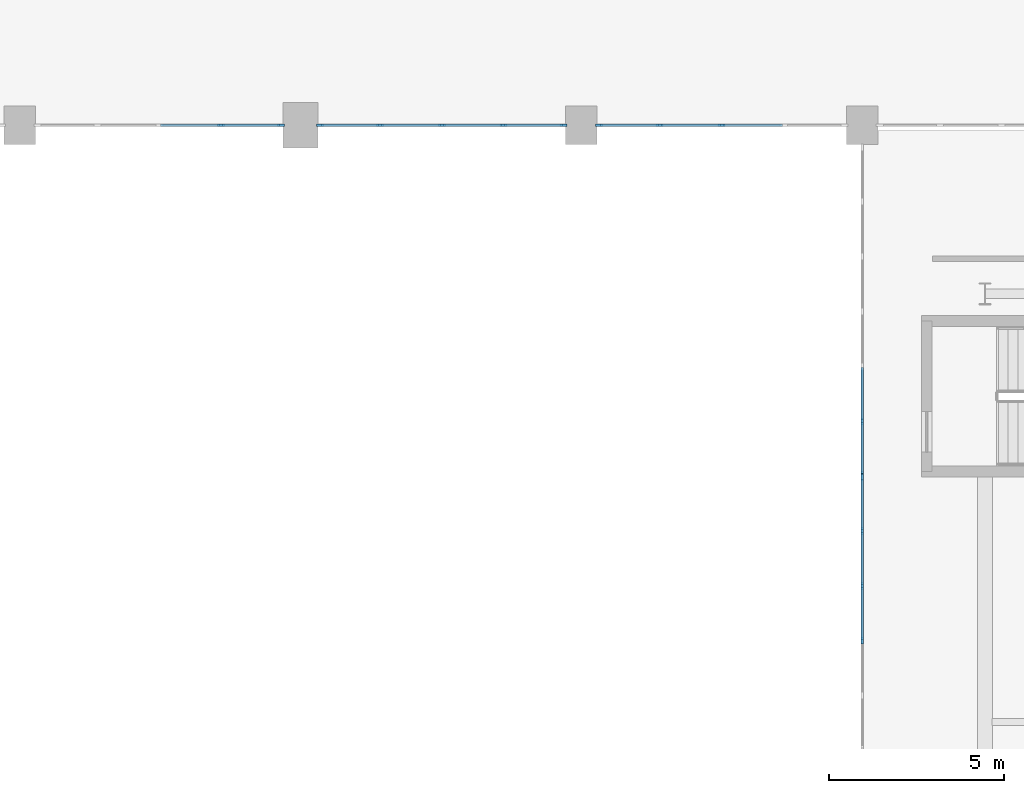
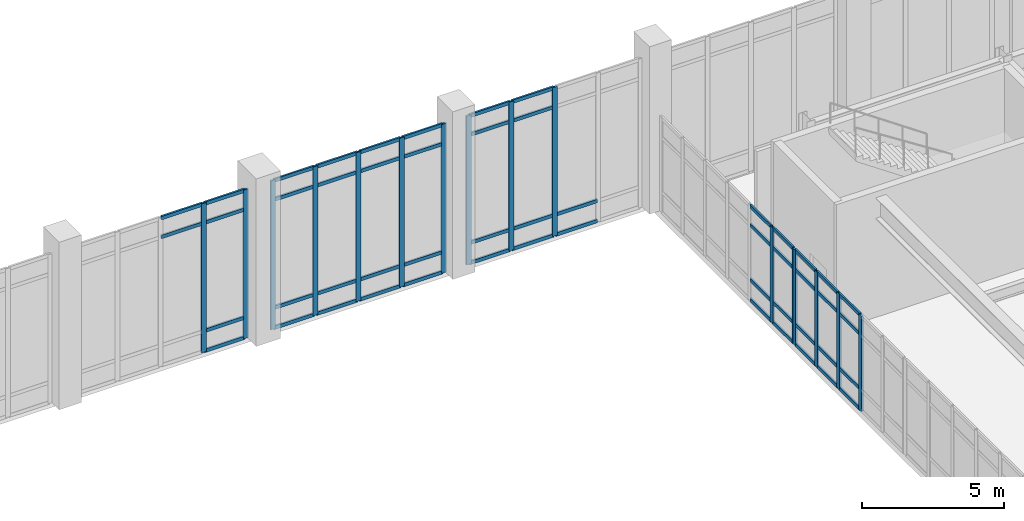
# One storey, part 28 of 84: 68 members, 5 elements without a shape of their own.
"""IFC4 building model written with IfcOpenShell, lengths in metres."""

from ifc_helpers import new_model, si_unit, direction, frame, origin, origin_2d, place, context, subcontext, project, spatial, rectangle, extrude, material, layer, layer_set, material_profile, profile_set, type_object, element, aggregate, save


model = new_model("IFC4")

# Units and contexts
model_context = context("Model", 3, precision=1e-05, world=origin(), true_north=direction((0.0, 1.0)))
body_context = subcontext(model_context, "Body", "Model", "MODEL_VIEW")
ifc_project = project(units=[si_unit("LENGTHUNIT", "METRE"), si_unit("AREAUNIT", "SQUARE_METRE"), si_unit("VOLUMEUNIT", "CUBIC_METRE"), si_unit("PLANEANGLEUNIT", "RADIAN"), si_unit("MASSUNIT", "GRAM", prefix="KILO")], contexts=[model_context])

# Site, building, storey
site_placement = place(None, origin())
site = spatial("IfcSite", under=ifc_project, at=site_placement, CompositionType="ELEMENT")
building_placement = place(site_placement, origin())
building = spatial("IfcBuilding", under=site, at=building_placement, Name="Tlacozan Convention Centre", CompositionType="ELEMENT")
storey_placement = place(building_placement, frame((0.0, 0.0, 6.0)))
storey = spatial("IfcBuildingStorey", under=building, at=storey_placement, Name="L01", CompositionType="ELEMENT", Elevation=6.0)

# Curtain wall, members
ifc_material = material(Name="Dark Bronze Anodised Aluminium", Category="aluminium")
ifc_layer_1 = layer(ifc_material, 0.199951171875)
ifc_layer_set_1 = layer_set([ifc_layer_1], Name="Dark Bronze Anodised Aluminium")
curtain_wall_type_1 = type_object("IfcCurtainWallType", Name="Exhibition Clerestory Curtain Wall CW10", PredefinedType="NOTDEFINED", material=ifc_layer_set_1)
curtain_wall_1_placement = place(storey_placement, origin())
curtain_wall_1 = element("IfcCurtainWall", 1, at=curtain_wall_1_placement, inside=storey, type_object=curtain_wall_type_1, Name="L01 CW-10 Run 17", PredefinedType="NOTDEFINED")
ifc_material_profile_1 = material_profile(ifc_material, rectangle(XDim=0.074951171875, YDim=0.199951171875, at=origin_2d()), Name="ALU 75x200")
ifc_profile_set_1 = profile_set([ifc_material_profile_1], Name="Dark Bronze Anodised Aluminium")
member_type_1 = type_object("IfcMemberType", Name="Curtain Wall Heavy Mullion 75x200", PredefinedType="MULLION", material=ifc_profile_set_1)
member_1_placement = place(storey_placement, frame((69.72998046875, 62.0, 0.0), z_axis=(0.0, 0.0, 1.0), x_axis=(0.0, 1.0, 0.0)))
member_1 = element("IfcMember", 2, at=member_1_placement, type_object=member_type_1, Name="CW-10 mullion 4", PredefinedType="MULLION", context=body_context, shape_type="SweptSolid", body=[
    extrude(rectangle(XDim=0.074951171875, YDim=0.199951171875, at=origin_2d()), origin(), (0.0, 0.0, 1.0), 6.39990234375),
])
member_2_placement = place(storey_placement, frame((71.447509765625, 62.0, 0.0), z_axis=(0.0, 0.0, 1.0), x_axis=(0.0, 1.0, 0.0)))
member_2 = element("IfcMember", 3, at=member_2_placement, type_object=member_type_1, Name="CW-10 mullion 5", PredefinedType="MULLION", context=body_context, shape_type="SweptSolid", body=[
    extrude(rectangle(XDim=0.074951171875, YDim=0.199951171875, at=origin_2d()), origin(), (0.0, 0.0, 1.0), 6.39990234375),
])

curtain_wall_2_placement = place(storey_placement, origin())
curtain_wall_2 = element("IfcCurtainWall", 4, at=curtain_wall_2_placement, inside=storey, type_object=curtain_wall_type_1, Name="L01 CW-10 Run 18", PredefinedType="NOTDEFINED")
member_3_placement = place(storey_placement, frame((72.552490234375, 62.0, 0.0), z_axis=(0.0, 0.0, 1.0), x_axis=(0.0, 1.0, 0.0)))
member_3 = element("IfcMember", 5, at=member_3_placement, type_object=member_type_1, Name="CW-10 mullion 1", PredefinedType="MULLION", context=body_context, shape_type="SweptSolid", body=[
    extrude(rectangle(XDim=0.074951171875, YDim=0.199951171875, at=origin_2d()), origin(), (0.0, 0.0, 1.0), 6.39990234375),
])
member_4_placement = place(storey_placement, frame((74.27001953125, 62.0, 0.0), z_axis=(0.0, 0.0, 1.0), x_axis=(0.0, 1.0, 0.0)))
member_4 = element("IfcMember", 6, at=member_4_placement, type_object=member_type_1, Name="CW-10 mullion 2", PredefinedType="MULLION", context=body_context, shape_type="SweptSolid", body=[
    extrude(rectangle(XDim=0.074951171875, YDim=0.199951171875, at=origin_2d()), origin(), (0.0, 0.0, 1.0), 6.39990234375),
])
member_5_placement = place(storey_placement, frame((76.02490234375, 62.0, 0.0), z_axis=(0.0, 0.0, 1.0), x_axis=(0.0, 1.0, 0.0)))
member_5 = element("IfcMember", 7, at=member_5_placement, type_object=member_type_1, Name="CW-10 mullion 3", PredefinedType="MULLION", context=body_context, shape_type="SweptSolid", body=[
    extrude(rectangle(XDim=0.074951171875, YDim=0.199951171875, at=origin_2d()), origin(), (0.0, 0.0, 1.0), 6.39990234375),
])
member_6_placement = place(storey_placement, frame((77.780029296875, 62.0, 0.0), z_axis=(0.0, 0.0, 1.0), x_axis=(0.0, 1.0, 0.0)))
member_6 = element("IfcMember", 8, at=member_6_placement, type_object=member_type_1, Name="CW-10 mullion 4", PredefinedType="MULLION", context=body_context, shape_type="SweptSolid", body=[
    extrude(rectangle(XDim=0.074951171875, YDim=0.199951171875, at=origin_2d()), origin(), (0.0, 0.0, 1.0), 6.39990234375),
])
member_7_placement = place(storey_placement, frame((79.49755859375, 62.0, 0.0), z_axis=(0.0, 0.0, 1.0), x_axis=(0.0, 1.0, 0.0)))
member_7 = element("IfcMember", 9, at=member_7_placement, type_object=member_type_1, Name="CW-10 mullion 5", PredefinedType="MULLION", context=body_context, shape_type="SweptSolid", body=[
    extrude(rectangle(XDim=0.074951171875, YDim=0.199951171875, at=origin_2d()), origin(), (0.0, 0.0, 1.0), 6.39990234375),
])

curtain_wall_3_placement = place(storey_placement, origin())
curtain_wall_3 = element("IfcCurtainWall", 10, at=curtain_wall_3_placement, inside=storey, type_object=curtain_wall_type_1, Name="L01 CW-10 Run 19", PredefinedType="NOTDEFINED")
member_8_placement = place(storey_placement, frame((80.50244140625, 62.0, 0.0), z_axis=(0.0, 0.0, 1.0), x_axis=(0.0, 1.0, 0.0)))
member_8 = element("IfcMember", 11, at=member_8_placement, type_object=member_type_1, Name="CW-10 mullion 1", PredefinedType="MULLION", context=body_context, shape_type="SweptSolid", body=[
    extrude(rectangle(XDim=0.074951171875, YDim=0.199951171875, at=origin_2d()), origin(), (0.0, 0.0, 1.0), 6.39990234375),
])
member_9_placement = place(storey_placement, frame((82.232421875, 62.0, 0.0), z_axis=(0.0, 0.0, 1.0), x_axis=(0.0, 1.0, 0.0)))
member_9 = element("IfcMember", 12, at=member_9_placement, type_object=member_type_1, Name="CW-10 mullion 2", PredefinedType="MULLION", context=body_context, shape_type="SweptSolid", body=[
    extrude(rectangle(XDim=0.074951171875, YDim=0.199951171875, at=origin_2d()), origin(), (0.0, 0.0, 1.0), 6.39990234375),
])
member_10_placement = place(storey_placement, frame((84.0, 62.0, 0.0), z_axis=(0.0, 0.0, 1.0), x_axis=(0.0, 1.0, 0.0)))
member_10 = element("IfcMember", 13, at=member_10_placement, type_object=member_type_1, Name="CW-10 mullion 3", PredefinedType="MULLION", context=body_context, shape_type="SweptSolid", body=[
    extrude(rectangle(XDim=0.074951171875, YDim=0.199951171875, at=origin_2d()), origin(), (0.0, 0.0, 1.0), 6.39990234375),
])

ifc_layer_2 = layer(ifc_material, 0.199951171875)
ifc_layer_set_2 = layer_set([ifc_layer_2], Name="Dark Bronze Anodised Aluminium")
curtain_wall_type_2 = type_object("IfcCurtainWallType", Name="Unitised Ballroom Cloister L01 CW08", PredefinedType="NOTDEFINED", material=ifc_layer_set_2)
curtain_wall_4_placement = place(storey_placement, origin())
curtain_wall_4 = element("IfcCurtainWall", 14, at=curtain_wall_4_placement, inside=storey, type_object=curtain_wall_type_2, Name="L01 CW-08 Run 160", PredefinedType="NOTDEFINED")
member_11_placement = place(storey_placement, frame((88.0, 47.320068359375, 0.0), z_axis=(0.0, 0.0, 1.0), x_axis=(-1.0, 0.0, 0.0)))
member_11 = element("IfcMember", 15, at=member_11_placement, type_object=member_type_1, Name="CW-08 mullion 3", PredefinedType="MULLION", context=body_context, shape_type="SweptSolid", body=[
    extrude(rectangle(XDim=0.074951171875, YDim=0.199951171875, at=origin_2d()), origin(), (0.0, 0.0, 1.0), 4.10009765625),
])
member_12_placement = place(storey_placement, frame((88.0, 48.8798828125, 0.0), z_axis=(0.0, 0.0, 1.0), x_axis=(-1.0, 0.0, 0.0)))
member_12 = element("IfcMember", 16, at=member_12_placement, type_object=member_type_1, Name="CW-08 mullion 4", PredefinedType="MULLION", context=body_context, shape_type="SweptSolid", body=[
    extrude(rectangle(XDim=0.074951171875, YDim=0.199951171875, at=origin_2d()), origin(), (0.0, 0.0, 1.0), 4.10009765625),
])
member_13_placement = place(storey_placement, frame((88.0, 50.43994140625, 0.0), z_axis=(0.0, 0.0, 1.0), x_axis=(-1.0, 0.0, 0.0)))
member_13 = element("IfcMember", 17, at=member_13_placement, type_object=member_type_1, Name="CW-08 mullion 5", PredefinedType="MULLION", context=body_context, shape_type="SweptSolid", body=[
    extrude(rectangle(XDim=0.074951171875, YDim=0.199951171875, at=origin_2d()), origin(), (0.0, 0.0, 1.0), 4.10009765625),
])
member_14_placement = place(storey_placement, frame((88.0, 51.96240234375, 0.0), z_axis=(0.0, 0.0, 1.0), x_axis=(-1.0, 0.0, 0.0)))
member_14 = element("IfcMember", 18, at=member_14_placement, type_object=member_type_1, Name="CW-08 mullion 6", PredefinedType="MULLION", context=body_context, shape_type="SweptSolid", body=[
    extrude(rectangle(XDim=0.074951171875, YDim=0.199951171875, at=origin_2d()), origin(), (0.0, 0.0, 1.0), 4.10009765625),
])

curtain_wall_5_placement = place(storey_placement, origin())
curtain_wall_5 = element("IfcCurtainWall", 19, at=curtain_wall_5_placement, inside=storey, type_object=curtain_wall_type_2, Name="L01 CW-08 Run 163", PredefinedType="NOTDEFINED")
member_15_placement = place(storey_placement, frame((88.0, 52.03759765625, 0.0), z_axis=(0.0, 0.0, 1.0), x_axis=(-1.0, 0.0, 0.0)))
member_15 = element("IfcMember", 20, at=member_15_placement, type_object=member_type_1, Name="CW-08 mullion 1", PredefinedType="MULLION", context=body_context, shape_type="SweptSolid", body=[
    extrude(rectangle(XDim=0.074951171875, YDim=0.199951171875, at=origin_2d()), origin(), (0.0, 0.0, 1.0), 4.10009765625),
])
member_16_placement = place(storey_placement, frame((88.0, 53.566650390625, 0.0), z_axis=(0.0, 0.0, 1.0), x_axis=(-1.0, 0.0, 0.0)))
member_16 = element("IfcMember", 21, at=member_16_placement, type_object=member_type_1, Name="CW-08 mullion 2", PredefinedType="MULLION", context=body_context, shape_type="SweptSolid", body=[
    extrude(rectangle(XDim=0.074951171875, YDim=0.199951171875, at=origin_2d()), origin(), (0.0, 0.0, 1.0), 4.10009765625),
])

# Member
ifc_material_profile_2 = material_profile(ifc_material, rectangle(XDim=0.074951171875, YDim=0.14990234375, at=origin_2d()), Name="ALU 75x150")
ifc_profile_set_2 = profile_set([ifc_material_profile_2], Name="Dark Bronze Anodised Aluminium")
member_type_2 = type_object("IfcMemberType", Name="Curtain Wall Heavy Transom 75x150", PredefinedType="USERDEFINED", material=ifc_profile_set_2)
member_17_placement = place(storey_placement, frame((68.012451171875, 62.0, 5.550048828125), z_axis=(1.0, 0.0, 0.0), x_axis=(0.0, 1.0, 0.0)))
member_17 = element("IfcMember", 22, at=member_17_placement, type_object=member_type_2, Name="CW-10 transom 3.3", ObjectType="TRANSOM", PredefinedType="USERDEFINED", context=body_context, shape_type="SweptSolid", body=[
    extrude(rectangle(XDim=0.074951171875, YDim=0.14990234375, at=origin_2d()), origin(), (0.0, 0.0, 1.0), 1.679931640625),
])

member_18_placement = place(storey_placement, frame((68.012451171875, 62.0, 6.362548828125), z_axis=(1.0, 0.0, 0.0), x_axis=(0.0, 1.0, 0.0)))
member_18 = element("IfcMember", 23, at=member_18_placement, type_object=member_type_2, Name="CW-10 transom 3.4", ObjectType="TRANSOM", PredefinedType="USERDEFINED", context=body_context, shape_type="SweptSolid", body=[
    extrude(rectangle(XDim=0.074951171875, YDim=0.14990234375, at=origin_2d()), origin(), (0.0, 0.0, 1.0), 1.679931640625),
])

member_19_placement = place(storey_placement, frame((69.767578125, 62.0, 0.03759765625), z_axis=(1.0, 0.0, 0.0), x_axis=(0.0, 1.0, 0.0)))
member_19 = element("IfcMember", 24, at=member_19_placement, type_object=member_type_2, Name="CW-10 transom 4.1", ObjectType="TRANSOM", PredefinedType="USERDEFINED", context=body_context, shape_type="SweptSolid", body=[
    extrude(rectangle(XDim=0.074951171875, YDim=0.14990234375, at=origin_2d()), origin(), (0.0, 0.0, 1.0), 1.642333984375),
])

member_20_placement = place(storey_placement, frame((69.767578125, 62.0, 0.89990234375), z_axis=(1.0, 0.0, 0.0), x_axis=(0.0, 1.0, 0.0)))
member_20 = element("IfcMember", 25, at=member_20_placement, type_object=member_type_2, Name="CW-10 transom 4.2", ObjectType="TRANSOM", PredefinedType="USERDEFINED", context=body_context, shape_type="SweptSolid", body=[
    extrude(rectangle(XDim=0.074951171875, YDim=0.14990234375, at=origin_2d()), origin(), (0.0, 0.0, 1.0), 1.642333984375),
])

member_21_placement = place(storey_placement, frame((69.767578125, 62.0, 5.550048828125), z_axis=(1.0, 0.0, 0.0), x_axis=(0.0, 1.0, 0.0)))
member_21 = element("IfcMember", 26, at=member_21_placement, type_object=member_type_2, Name="CW-10 transom 4.3", ObjectType="TRANSOM", PredefinedType="USERDEFINED", context=body_context, shape_type="SweptSolid", body=[
    extrude(rectangle(XDim=0.074951171875, YDim=0.14990234375, at=origin_2d()), origin(), (0.0, 0.0, 1.0), 1.642333984375),
])

member_22_placement = place(storey_placement, frame((69.767578125, 62.0, 6.362548828125), z_axis=(1.0, 0.0, 0.0), x_axis=(0.0, 1.0, 0.0)))
member_22 = element("IfcMember", 27, at=member_22_placement, type_object=member_type_2, Name="CW-10 transom 4.4", ObjectType="TRANSOM", PredefinedType="USERDEFINED", context=body_context, shape_type="SweptSolid", body=[
    extrude(rectangle(XDim=0.074951171875, YDim=0.14990234375, at=origin_2d()), origin(), (0.0, 0.0, 1.0), 1.642333984375),
])

aggregate(curtain_wall_1, [member_1, member_2, member_17, member_18, member_19, member_20, member_21, member_22])

member_23_placement = place(storey_placement, frame((72.590087890625, 62.0, 0.03759765625), z_axis=(1.0, 0.0, 0.0), x_axis=(0.0, 1.0, 0.0)))
member_23 = element("IfcMember", 28, at=member_23_placement, type_object=member_type_2, Name="CW-10 transom 1.1", ObjectType="TRANSOM", PredefinedType="USERDEFINED", context=body_context, shape_type="SweptSolid", body=[
    extrude(rectangle(XDim=0.074951171875, YDim=0.14990234375, at=origin_2d()), origin(), (0.0, 0.0, 1.0), 1.642333984375),
])

member_24_placement = place(storey_placement, frame((72.590087890625, 62.0, 0.89990234375), z_axis=(1.0, 0.0, 0.0), x_axis=(0.0, 1.0, 0.0)))
member_24 = element("IfcMember", 29, at=member_24_placement, type_object=member_type_2, Name="CW-10 transom 1.2", ObjectType="TRANSOM", PredefinedType="USERDEFINED", context=body_context, shape_type="SweptSolid", body=[
    extrude(rectangle(XDim=0.074951171875, YDim=0.14990234375, at=origin_2d()), origin(), (0.0, 0.0, 1.0), 1.642333984375),
])

member_25_placement = place(storey_placement, frame((72.590087890625, 62.0, 5.550048828125), z_axis=(1.0, 0.0, 0.0), x_axis=(0.0, 1.0, 0.0)))
member_25 = element("IfcMember", 30, at=member_25_placement, type_object=member_type_2, Name="CW-10 transom 1.3", ObjectType="TRANSOM", PredefinedType="USERDEFINED", context=body_context, shape_type="SweptSolid", body=[
    extrude(rectangle(XDim=0.074951171875, YDim=0.14990234375, at=origin_2d()), origin(), (0.0, 0.0, 1.0), 1.642333984375),
])

member_26_placement = place(storey_placement, frame((72.590087890625, 62.0, 6.362548828125), z_axis=(1.0, 0.0, 0.0), x_axis=(0.0, 1.0, 0.0)))
member_26 = element("IfcMember", 31, at=member_26_placement, type_object=member_type_2, Name="CW-10 transom 1.4", ObjectType="TRANSOM", PredefinedType="USERDEFINED", context=body_context, shape_type="SweptSolid", body=[
    extrude(rectangle(XDim=0.074951171875, YDim=0.14990234375, at=origin_2d()), origin(), (0.0, 0.0, 1.0), 1.642333984375),
])

member_27_placement = place(storey_placement, frame((74.3076171875, 62.0, 0.03759765625), z_axis=(1.0, 0.0, 0.0), x_axis=(0.0, 1.0, 0.0)))
member_27 = element("IfcMember", 32, at=member_27_placement, type_object=member_type_2, Name="CW-10 transom 2.1", ObjectType="TRANSOM", PredefinedType="USERDEFINED", context=body_context, shape_type="SweptSolid", body=[
    extrude(rectangle(XDim=0.074951171875, YDim=0.14990234375, at=origin_2d()), origin(), (0.0, 0.0, 1.0), 1.679931640625),
])

member_28_placement = place(storey_placement, frame((74.3076171875, 62.0, 0.89990234375), z_axis=(1.0, 0.0, 0.0), x_axis=(0.0, 1.0, 0.0)))
member_28 = element("IfcMember", 33, at=member_28_placement, type_object=member_type_2, Name="CW-10 transom 2.2", ObjectType="TRANSOM", PredefinedType="USERDEFINED", context=body_context, shape_type="SweptSolid", body=[
    extrude(rectangle(XDim=0.074951171875, YDim=0.14990234375, at=origin_2d()), origin(), (0.0, 0.0, 1.0), 1.679931640625),
])

member_29_placement = place(storey_placement, frame((74.3076171875, 62.0, 5.550048828125), z_axis=(1.0, 0.0, 0.0), x_axis=(0.0, 1.0, 0.0)))
member_29 = element("IfcMember", 34, at=member_29_placement, type_object=member_type_2, Name="CW-10 transom 2.3", ObjectType="TRANSOM", PredefinedType="USERDEFINED", context=body_context, shape_type="SweptSolid", body=[
    extrude(rectangle(XDim=0.074951171875, YDim=0.14990234375, at=origin_2d()), origin(), (0.0, 0.0, 1.0), 1.679931640625),
])

member_30_placement = place(storey_placement, frame((74.3076171875, 62.0, 6.362548828125), z_axis=(1.0, 0.0, 0.0), x_axis=(0.0, 1.0, 0.0)))
member_30 = element("IfcMember", 35, at=member_30_placement, type_object=member_type_2, Name="CW-10 transom 2.4", ObjectType="TRANSOM", PredefinedType="USERDEFINED", context=body_context, shape_type="SweptSolid", body=[
    extrude(rectangle(XDim=0.074951171875, YDim=0.14990234375, at=origin_2d()), origin(), (0.0, 0.0, 1.0), 1.679931640625),
])

member_31_placement = place(storey_placement, frame((76.0625, 62.0, 0.03759765625), z_axis=(1.0, 0.0, 0.0), x_axis=(0.0, 1.0, 0.0)))
member_31 = element("IfcMember", 36, at=member_31_placement, type_object=member_type_2, Name="CW-10 transom 3.1", ObjectType="TRANSOM", PredefinedType="USERDEFINED", context=body_context, shape_type="SweptSolid", body=[
    extrude(rectangle(XDim=0.074951171875, YDim=0.14990234375, at=origin_2d()), origin(), (0.0, 0.0, 1.0), 1.679931640625),
])

member_32_placement = place(storey_placement, frame((76.0625, 62.0, 0.89990234375), z_axis=(1.0, 0.0, 0.0), x_axis=(0.0, 1.0, 0.0)))
member_32 = element("IfcMember", 37, at=member_32_placement, type_object=member_type_2, Name="CW-10 transom 3.2", ObjectType="TRANSOM", PredefinedType="USERDEFINED", context=body_context, shape_type="SweptSolid", body=[
    extrude(rectangle(XDim=0.074951171875, YDim=0.14990234375, at=origin_2d()), origin(), (0.0, 0.0, 1.0), 1.679931640625),
])

member_33_placement = place(storey_placement, frame((76.0625, 62.0, 5.550048828125), z_axis=(1.0, 0.0, 0.0), x_axis=(0.0, 1.0, 0.0)))
member_33 = element("IfcMember", 38, at=member_33_placement, type_object=member_type_2, Name="CW-10 transom 3.3", ObjectType="TRANSOM", PredefinedType="USERDEFINED", context=body_context, shape_type="SweptSolid", body=[
    extrude(rectangle(XDim=0.074951171875, YDim=0.14990234375, at=origin_2d()), origin(), (0.0, 0.0, 1.0), 1.679931640625),
])

member_34_placement = place(storey_placement, frame((76.0625, 62.0, 6.362548828125), z_axis=(1.0, 0.0, 0.0), x_axis=(0.0, 1.0, 0.0)))
member_34 = element("IfcMember", 39, at=member_34_placement, type_object=member_type_2, Name="CW-10 transom 3.4", ObjectType="TRANSOM", PredefinedType="USERDEFINED", context=body_context, shape_type="SweptSolid", body=[
    extrude(rectangle(XDim=0.074951171875, YDim=0.14990234375, at=origin_2d()), origin(), (0.0, 0.0, 1.0), 1.679931640625),
])

member_35_placement = place(storey_placement, frame((77.8173828125, 62.0, 0.03759765625), z_axis=(1.0, 0.0, 0.0), x_axis=(0.0, 1.0, 0.0)))
member_35 = element("IfcMember", 40, at=member_35_placement, type_object=member_type_2, Name="CW-10 transom 4.1", ObjectType="TRANSOM", PredefinedType="USERDEFINED", context=body_context, shape_type="SweptSolid", body=[
    extrude(rectangle(XDim=0.074951171875, YDim=0.14990234375, at=origin_2d()), origin(), (0.0, 0.0, 1.0), 1.642578125),
])

member_36_placement = place(storey_placement, frame((77.8173828125, 62.0, 0.89990234375), z_axis=(1.0, 0.0, 0.0), x_axis=(0.0, 1.0, 0.0)))
member_36 = element("IfcMember", 41, at=member_36_placement, type_object=member_type_2, Name="CW-10 transom 4.2", ObjectType="TRANSOM", PredefinedType="USERDEFINED", context=body_context, shape_type="SweptSolid", body=[
    extrude(rectangle(XDim=0.074951171875, YDim=0.14990234375, at=origin_2d()), origin(), (0.0, 0.0, 1.0), 1.642578125),
])

member_37_placement = place(storey_placement, frame((77.8173828125, 62.0, 5.550048828125), z_axis=(1.0, 0.0, 0.0), x_axis=(0.0, 1.0, 0.0)))
member_37 = element("IfcMember", 42, at=member_37_placement, type_object=member_type_2, Name="CW-10 transom 4.3", ObjectType="TRANSOM", PredefinedType="USERDEFINED", context=body_context, shape_type="SweptSolid", body=[
    extrude(rectangle(XDim=0.074951171875, YDim=0.14990234375, at=origin_2d()), origin(), (0.0, 0.0, 1.0), 1.642578125),
])

member_38_placement = place(storey_placement, frame((77.8173828125, 62.0, 6.362548828125), z_axis=(1.0, 0.0, 0.0), x_axis=(0.0, 1.0, 0.0)))
member_38 = element("IfcMember", 43, at=member_38_placement, type_object=member_type_2, Name="CW-10 transom 4.4", ObjectType="TRANSOM", PredefinedType="USERDEFINED", context=body_context, shape_type="SweptSolid", body=[
    extrude(rectangle(XDim=0.074951171875, YDim=0.14990234375, at=origin_2d()), origin(), (0.0, 0.0, 1.0), 1.642578125),
])

aggregate(curtain_wall_2, [member_3, member_4, member_5, member_6, member_7, member_23, member_24, member_25, member_26, member_27, member_28, member_29, member_30, member_31, member_32, member_33, member_34, member_35, member_36, member_37, member_38])

member_39_placement = place(storey_placement, frame((80.5400390625, 62.0, 0.03759765625), z_axis=(1.0, 0.0, 0.0), x_axis=(0.0, 1.0, 0.0)))
member_39 = element("IfcMember", 44, at=member_39_placement, type_object=member_type_2, Name="CW-10 transom 1.1", ObjectType="TRANSOM", PredefinedType="USERDEFINED", context=body_context, shape_type="SweptSolid", body=[
    extrude(rectangle(XDim=0.074951171875, YDim=0.14990234375, at=origin_2d()), origin(), (0.0, 0.0, 1.0), 1.655029296875),
])

member_40_placement = place(storey_placement, frame((80.5400390625, 62.0, 0.89990234375), z_axis=(1.0, 0.0, 0.0), x_axis=(0.0, 1.0, 0.0)))
member_40 = element("IfcMember", 45, at=member_40_placement, type_object=member_type_2, Name="CW-10 transom 1.2", ObjectType="TRANSOM", PredefinedType="USERDEFINED", context=body_context, shape_type="SweptSolid", body=[
    extrude(rectangle(XDim=0.074951171875, YDim=0.14990234375, at=origin_2d()), origin(), (0.0, 0.0, 1.0), 1.655029296875),
])

member_41_placement = place(storey_placement, frame((80.5400390625, 62.0, 5.550048828125), z_axis=(1.0, 0.0, 0.0), x_axis=(0.0, 1.0, 0.0)))
member_41 = element("IfcMember", 46, at=member_41_placement, type_object=member_type_2, Name="CW-10 transom 1.3", ObjectType="TRANSOM", PredefinedType="USERDEFINED", context=body_context, shape_type="SweptSolid", body=[
    extrude(rectangle(XDim=0.074951171875, YDim=0.14990234375, at=origin_2d()), origin(), (0.0, 0.0, 1.0), 1.655029296875),
])

member_42_placement = place(storey_placement, frame((80.5400390625, 62.0, 6.362548828125), z_axis=(1.0, 0.0, 0.0), x_axis=(0.0, 1.0, 0.0)))
member_42 = element("IfcMember", 47, at=member_42_placement, type_object=member_type_2, Name="CW-10 transom 1.4", ObjectType="TRANSOM", PredefinedType="USERDEFINED", context=body_context, shape_type="SweptSolid", body=[
    extrude(rectangle(XDim=0.074951171875, YDim=0.14990234375, at=origin_2d()), origin(), (0.0, 0.0, 1.0), 1.655029296875),
])

member_43_placement = place(storey_placement, frame((82.27001953125, 62.0, 0.03759765625), z_axis=(1.0, 0.0, 0.0), x_axis=(0.0, 1.0, 0.0)))
member_43 = element("IfcMember", 48, at=member_43_placement, type_object=member_type_2, Name="CW-10 transom 2.1", ObjectType="TRANSOM", PredefinedType="USERDEFINED", context=body_context, shape_type="SweptSolid", body=[
    extrude(rectangle(XDim=0.074951171875, YDim=0.14990234375, at=origin_2d()), origin(), (0.0, 0.0, 1.0), 1.6923828125),
])

member_44_placement = place(storey_placement, frame((82.27001953125, 62.0, 0.89990234375), z_axis=(1.0, 0.0, 0.0), x_axis=(0.0, 1.0, 0.0)))
member_44 = element("IfcMember", 49, at=member_44_placement, type_object=member_type_2, Name="CW-10 transom 2.2", ObjectType="TRANSOM", PredefinedType="USERDEFINED", context=body_context, shape_type="SweptSolid", body=[
    extrude(rectangle(XDim=0.074951171875, YDim=0.14990234375, at=origin_2d()), origin(), (0.0, 0.0, 1.0), 1.6923828125),
])

member_45_placement = place(storey_placement, frame((82.27001953125, 62.0, 5.550048828125), z_axis=(1.0, 0.0, 0.0), x_axis=(0.0, 1.0, 0.0)))
member_45 = element("IfcMember", 50, at=member_45_placement, type_object=member_type_2, Name="CW-10 transom 2.3", ObjectType="TRANSOM", PredefinedType="USERDEFINED", context=body_context, shape_type="SweptSolid", body=[
    extrude(rectangle(XDim=0.074951171875, YDim=0.14990234375, at=origin_2d()), origin(), (0.0, 0.0, 1.0), 1.6923828125),
])

member_46_placement = place(storey_placement, frame((82.27001953125, 62.0, 6.362548828125), z_axis=(1.0, 0.0, 0.0), x_axis=(0.0, 1.0, 0.0)))
member_46 = element("IfcMember", 51, at=member_46_placement, type_object=member_type_2, Name="CW-10 transom 2.4", ObjectType="TRANSOM", PredefinedType="USERDEFINED", context=body_context, shape_type="SweptSolid", body=[
    extrude(rectangle(XDim=0.074951171875, YDim=0.14990234375, at=origin_2d()), origin(), (0.0, 0.0, 1.0), 1.6923828125),
])

member_47_placement = place(storey_placement, frame((84.03759765625, 62.0, 0.03759765625), z_axis=(1.0, 0.0, 0.0), x_axis=(0.0, 1.0, 0.0)))
member_47 = element("IfcMember", 52, at=member_47_placement, type_object=member_type_2, Name="CW-10 transom 3.1", ObjectType="TRANSOM", PredefinedType="USERDEFINED", context=body_context, shape_type="SweptSolid", body=[
    extrude(rectangle(XDim=0.074951171875, YDim=0.14990234375, at=origin_2d()), origin(), (0.0, 0.0, 1.0), 1.6923828125),
])

member_48_placement = place(storey_placement, frame((84.03759765625, 62.0, 0.89990234375), z_axis=(1.0, 0.0, 0.0), x_axis=(0.0, 1.0, 0.0)))
member_48 = element("IfcMember", 53, at=member_48_placement, type_object=member_type_2, Name="CW-10 transom 3.2", ObjectType="TRANSOM", PredefinedType="USERDEFINED", context=body_context, shape_type="SweptSolid", body=[
    extrude(rectangle(XDim=0.074951171875, YDim=0.14990234375, at=origin_2d()), origin(), (0.0, 0.0, 1.0), 1.6923828125),
])

aggregate(curtain_wall_3, [member_8, member_9, member_10, member_39, member_40, member_41, member_42, member_43, member_44, member_45, member_46, member_47, member_48])

member_49_placement = place(storey_placement, frame((88.0, 47.357421875, 0.03759765625), z_axis=(0.0, 1.0, 0.0), x_axis=(-1.0, 0.0, 0.0)))
member_49 = element("IfcMember", 54, at=member_49_placement, type_object=member_type_2, Name="CW-08 transom 3.1", ObjectType="TRANSOM", PredefinedType="USERDEFINED", context=body_context, shape_type="SweptSolid", body=[
    extrude(rectangle(XDim=0.074951171875, YDim=0.14990234375, at=origin_2d()), origin(), (0.0, 0.0, 1.0), 1.485107421875),
])

member_50_placement = place(storey_placement, frame((88.0, 47.357421875, 0.89990234375), z_axis=(0.0, 1.0, 0.0), x_axis=(-1.0, 0.0, 0.0)))
member_50 = element("IfcMember", 55, at=member_50_placement, type_object=member_type_2, Name="CW-08 transom 3.2", ObjectType="TRANSOM", PredefinedType="USERDEFINED", context=body_context, shape_type="SweptSolid", body=[
    extrude(rectangle(XDim=0.074951171875, YDim=0.14990234375, at=origin_2d()), origin(), (0.0, 0.0, 1.0), 1.485107421875),
])

member_51_placement = place(storey_placement, frame((88.0, 47.357421875, 3.25), z_axis=(0.0, 1.0, 0.0), x_axis=(-1.0, 0.0, 0.0)))
member_51 = element("IfcMember", 56, at=member_51_placement, type_object=member_type_2, Name="CW-08 transom 3.3", ObjectType="TRANSOM", PredefinedType="USERDEFINED", context=body_context, shape_type="SweptSolid", body=[
    extrude(rectangle(XDim=0.074951171875, YDim=0.14990234375, at=origin_2d()), origin(), (0.0, 0.0, 1.0), 1.485107421875),
])

member_52_placement = place(storey_placement, frame((88.0, 47.357421875, 4.0625), z_axis=(0.0, 1.0, 0.0), x_axis=(-1.0, 0.0, 0.0)))
member_52 = element("IfcMember", 57, at=member_52_placement, type_object=member_type_2, Name="CW-08 transom 3.4", ObjectType="TRANSOM", PredefinedType="USERDEFINED", context=body_context, shape_type="SweptSolid", body=[
    extrude(rectangle(XDim=0.074951171875, YDim=0.14990234375, at=origin_2d()), origin(), (0.0, 0.0, 1.0), 1.485107421875),
])

member_53_placement = place(storey_placement, frame((88.0, 48.91748046875, 0.03759765625), z_axis=(0.0, 1.0, 0.0), x_axis=(-1.0, 0.0, 0.0)))
member_53 = element("IfcMember", 58, at=member_53_placement, type_object=member_type_2, Name="CW-08 transom 4.1", ObjectType="TRANSOM", PredefinedType="USERDEFINED", context=body_context, shape_type="SweptSolid", body=[
    extrude(rectangle(XDim=0.074951171875, YDim=0.14990234375, at=origin_2d()), origin(), (0.0, 0.0, 1.0), 1.485107421875),
])

member_54_placement = place(storey_placement, frame((88.0, 48.91748046875, 0.89990234375), z_axis=(0.0, 1.0, 0.0), x_axis=(-1.0, 0.0, 0.0)))
member_54 = element("IfcMember", 59, at=member_54_placement, type_object=member_type_2, Name="CW-08 transom 4.2", ObjectType="TRANSOM", PredefinedType="USERDEFINED", context=body_context, shape_type="SweptSolid", body=[
    extrude(rectangle(XDim=0.074951171875, YDim=0.14990234375, at=origin_2d()), origin(), (0.0, 0.0, 1.0), 1.485107421875),
])

member_55_placement = place(storey_placement, frame((88.0, 48.91748046875, 3.25), z_axis=(0.0, 1.0, 0.0), x_axis=(-1.0, 0.0, 0.0)))
member_55 = element("IfcMember", 60, at=member_55_placement, type_object=member_type_2, Name="CW-08 transom 4.3", ObjectType="TRANSOM", PredefinedType="USERDEFINED", context=body_context, shape_type="SweptSolid", body=[
    extrude(rectangle(XDim=0.074951171875, YDim=0.14990234375, at=origin_2d()), origin(), (0.0, 0.0, 1.0), 1.485107421875),
])

member_56_placement = place(storey_placement, frame((88.0, 48.91748046875, 4.0625), z_axis=(0.0, 1.0, 0.0), x_axis=(-1.0, 0.0, 0.0)))
member_56 = element("IfcMember", 61, at=member_56_placement, type_object=member_type_2, Name="CW-08 transom 4.4", ObjectType="TRANSOM", PredefinedType="USERDEFINED", context=body_context, shape_type="SweptSolid", body=[
    extrude(rectangle(XDim=0.074951171875, YDim=0.14990234375, at=origin_2d()), origin(), (0.0, 0.0, 1.0), 1.485107421875),
])

member_57_placement = place(storey_placement, frame((88.0, 50.4775390625, 0.03759765625), z_axis=(0.0, 1.0, 0.0), x_axis=(-1.0, 0.0, 0.0)))
member_57 = element("IfcMember", 62, at=member_57_placement, type_object=member_type_2, Name="CW-08 transom 5.1", ObjectType="TRANSOM", PredefinedType="USERDEFINED", context=body_context, shape_type="SweptSolid", body=[
    extrude(rectangle(XDim=0.074951171875, YDim=0.14990234375, at=origin_2d()), origin(), (0.0, 0.0, 1.0), 1.447509765625),
])

member_58_placement = place(storey_placement, frame((88.0, 50.4775390625, 0.89990234375), z_axis=(0.0, 1.0, 0.0), x_axis=(-1.0, 0.0, 0.0)))
member_58 = element("IfcMember", 63, at=member_58_placement, type_object=member_type_2, Name="CW-08 transom 5.2", ObjectType="TRANSOM", PredefinedType="USERDEFINED", context=body_context, shape_type="SweptSolid", body=[
    extrude(rectangle(XDim=0.074951171875, YDim=0.14990234375, at=origin_2d()), origin(), (0.0, 0.0, 1.0), 1.447509765625),
])

member_59_placement = place(storey_placement, frame((88.0, 50.4775390625, 3.25), z_axis=(0.0, 1.0, 0.0), x_axis=(-1.0, 0.0, 0.0)))
member_59 = element("IfcMember", 64, at=member_59_placement, type_object=member_type_2, Name="CW-08 transom 5.3", ObjectType="TRANSOM", PredefinedType="USERDEFINED", context=body_context, shape_type="SweptSolid", body=[
    extrude(rectangle(XDim=0.074951171875, YDim=0.14990234375, at=origin_2d()), origin(), (0.0, 0.0, 1.0), 1.447509765625),
])

member_60_placement = place(storey_placement, frame((88.0, 50.4775390625, 4.0625), z_axis=(0.0, 1.0, 0.0), x_axis=(-1.0, 0.0, 0.0)))
member_60 = element("IfcMember", 65, at=member_60_placement, type_object=member_type_2, Name="CW-08 transom 5.4", ObjectType="TRANSOM", PredefinedType="USERDEFINED", context=body_context, shape_type="SweptSolid", body=[
    extrude(rectangle(XDim=0.074951171875, YDim=0.14990234375, at=origin_2d()), origin(), (0.0, 0.0, 1.0), 1.447509765625),
])

aggregate(curtain_wall_4, [member_11, member_12, member_13, member_14, member_49, member_50, member_51, member_52, member_53, member_54, member_55, member_56, member_57, member_58, member_59, member_60])

member_61_placement = place(storey_placement, frame((88.0, 52.074951171875, 0.03759765625), z_axis=(0.0, 1.0, 0.0), x_axis=(-1.0, 0.0, 0.0)))
member_61 = element("IfcMember", 66, at=member_61_placement, type_object=member_type_2, Name="CW-08 transom 1.1", ObjectType="TRANSOM", PredefinedType="USERDEFINED", context=body_context, shape_type="SweptSolid", body=[
    extrude(rectangle(XDim=0.074951171875, YDim=0.14990234375, at=origin_2d()), origin(), (0.0, 0.0, 1.0), 1.4541015625),
])

member_62_placement = place(storey_placement, frame((88.0, 52.074951171875, 0.89990234375), z_axis=(0.0, 1.0, 0.0), x_axis=(-1.0, 0.0, 0.0)))
member_62 = element("IfcMember", 67, at=member_62_placement, type_object=member_type_2, Name="CW-08 transom 1.2", ObjectType="TRANSOM", PredefinedType="USERDEFINED", context=body_context, shape_type="SweptSolid", body=[
    extrude(rectangle(XDim=0.074951171875, YDim=0.14990234375, at=origin_2d()), origin(), (0.0, 0.0, 1.0), 1.4541015625),
])

member_63_placement = place(storey_placement, frame((88.0, 52.074951171875, 3.25), z_axis=(0.0, 1.0, 0.0), x_axis=(-1.0, 0.0, 0.0)))
member_63 = element("IfcMember", 68, at=member_63_placement, type_object=member_type_2, Name="CW-08 transom 1.3", ObjectType="TRANSOM", PredefinedType="USERDEFINED", context=body_context, shape_type="SweptSolid", body=[
    extrude(rectangle(XDim=0.074951171875, YDim=0.14990234375, at=origin_2d()), origin(), (0.0, 0.0, 1.0), 1.4541015625),
])

member_64_placement = place(storey_placement, frame((88.0, 52.074951171875, 4.0625), z_axis=(0.0, 1.0, 0.0), x_axis=(-1.0, 0.0, 0.0)))
member_64 = element("IfcMember", 69, at=member_64_placement, type_object=member_type_2, Name="CW-08 transom 1.4", ObjectType="TRANSOM", PredefinedType="USERDEFINED", context=body_context, shape_type="SweptSolid", body=[
    extrude(rectangle(XDim=0.074951171875, YDim=0.14990234375, at=origin_2d()), origin(), (0.0, 0.0, 1.0), 1.4541015625),
])

member_65_placement = place(storey_placement, frame((88.0, 53.604248046875, 0.03759765625), z_axis=(0.0, 1.0, 0.0), x_axis=(-1.0, 0.0, 0.0)))
member_65 = element("IfcMember", 70, at=member_65_placement, type_object=member_type_2, Name="CW-08 transom 2.1", ObjectType="TRANSOM", PredefinedType="USERDEFINED", context=body_context, shape_type="SweptSolid", body=[
    extrude(rectangle(XDim=0.074951171875, YDim=0.14990234375, at=origin_2d()), origin(), (0.0, 0.0, 1.0), 1.49169921875),
])

member_66_placement = place(storey_placement, frame((88.0, 53.604248046875, 0.89990234375), z_axis=(0.0, 1.0, 0.0), x_axis=(-1.0, 0.0, 0.0)))
member_66 = element("IfcMember", 71, at=member_66_placement, type_object=member_type_2, Name="CW-08 transom 2.2", ObjectType="TRANSOM", PredefinedType="USERDEFINED", context=body_context, shape_type="SweptSolid", body=[
    extrude(rectangle(XDim=0.074951171875, YDim=0.14990234375, at=origin_2d()), origin(), (0.0, 0.0, 1.0), 1.49169921875),
])

member_67_placement = place(storey_placement, frame((88.0, 53.604248046875, 3.25), z_axis=(0.0, 1.0, 0.0), x_axis=(-1.0, 0.0, 0.0)))
member_67 = element("IfcMember", 72, at=member_67_placement, type_object=member_type_2, Name="CW-08 transom 2.3", ObjectType="TRANSOM", PredefinedType="USERDEFINED", context=body_context, shape_type="SweptSolid", body=[
    extrude(rectangle(XDim=0.074951171875, YDim=0.14990234375, at=origin_2d()), origin(), (0.0, 0.0, 1.0), 1.49169921875),
])

member_68_placement = place(storey_placement, frame((88.0, 53.604248046875, 4.0625), z_axis=(0.0, 1.0, 0.0), x_axis=(-1.0, 0.0, 0.0)))
member_68 = element("IfcMember", 73, at=member_68_placement, type_object=member_type_2, Name="CW-08 transom 2.4", ObjectType="TRANSOM", PredefinedType="USERDEFINED", context=body_context, shape_type="SweptSolid", body=[
    extrude(rectangle(XDim=0.074951171875, YDim=0.14990234375, at=origin_2d()), origin(), (0.0, 0.0, 1.0), 1.49169921875),
])

aggregate(curtain_wall_5, [member_15, member_16, member_61, member_62, member_63, member_64, member_65, member_66, member_67, member_68])

save(model, "model.ifc")
